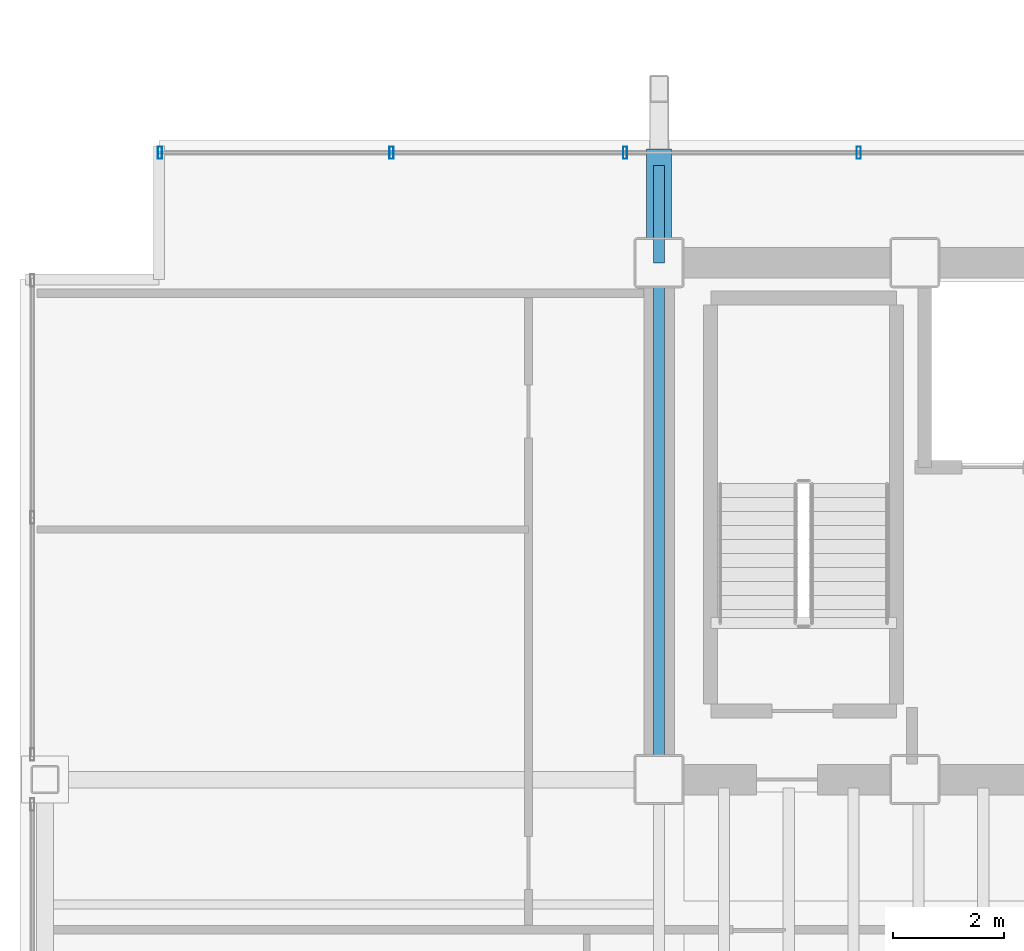
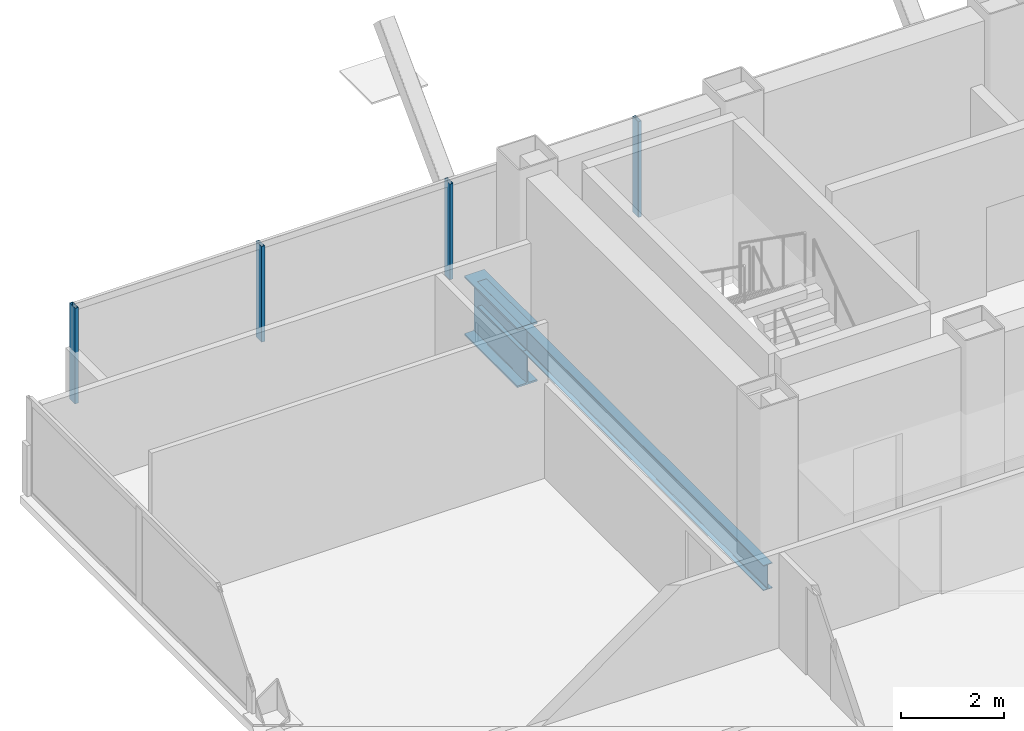
# One storey, part 9 of 22: 4 members, 3 beams, 1 element without a shape of its own.
"""IFC4 building model written with IfcOpenShell, lengths in metres."""

from ifc_helpers import new_model, si_unit, direction, frame, origin, origin_2d, place, context, subcontext, project, spatial, hollow_rectangle, i_section, extrude, material, material_profile, profile_set, type_object, element, aggregate, save


model = new_model("IFC4")

# Units and contexts
model_context = context("Model", 3, precision=1e-05, world=origin(), true_north=direction((0.0, 1.0)))
body_context = subcontext(model_context, "Body", "Model", "MODEL_VIEW")
ifc_project = project(units=[si_unit("LENGTHUNIT", "METRE"), si_unit("AREAUNIT", "SQUARE_METRE"), si_unit("VOLUMEUNIT", "CUBIC_METRE"), si_unit("PLANEANGLEUNIT", "RADIAN"), si_unit("MASSUNIT", "GRAM", prefix="KILO")], contexts=[model_context])

# Site, building, storey
site_placement = place(None, origin())
site = spatial("IfcSite", under=ifc_project, at=site_placement, CompositionType="ELEMENT")
building_placement = place(site_placement, origin())
building = spatial("IfcBuilding", under=site, at=building_placement, Name="Noeulbin Bourse Tower", CompositionType="ELEMENT")
storey_placement = place(building_placement, frame((0.0, 0.0, 138.300048828125)))
storey = spatial("IfcBuildingStorey", under=building, at=storey_placement, Name="L34", CompositionType="ELEMENT", Elevation=138.300048828125)

# Beams
ifc_material_1 = material(Name="Steel S355", Category="steel")
ifc_material_profile_1 = material_profile(ifc_material_1, i_section(OverallWidth=0.199951171875, OverallDepth=0.60009765625, WebThickness=0.010986328125, FlangeThickness=0.01708984375, FilletRadius=0.02197265625, at=origin_2d()), Name="H-600x200x11x17", Category="LoadBearing")
ifc_profile_set_1 = profile_set([ifc_material_profile_1], Name="Steel S355")
beam_type_1 = type_object("IfcBeamType", Name="BM-GRD-600", PredefinedType="USERDEFINED", material=ifc_profile_set_1)
beam_1_placement = place(storey_placement, frame((13.5, 29.0, -0.47998046875), z_axis=(0.0, 1.0, 0.0), x_axis=(-1.0, 0.0, 0.0)))
element("IfcBeam", 1, at=beam_1_placement, inside=storey, type_object=beam_type_1, Name="Tower Primary Girder NS L34-1.3", ObjectType="GIRDER", PredefinedType="USERDEFINED", context=body_context, shape_type="SweptSolid", body=[
    extrude(i_section(OverallWidth=0.199951171875, OverallDepth=0.60009765625, WebThickness=0.010986328125, FlangeThickness=0.01708984375, FilletRadius=0.02197265625, at=origin_2d()), origin(), (0.0, 0.0, 1.0), 9.300048828125),
])
beam_2_placement = place(storey_placement, frame((13.5, 38.300048828125, -0.47998046875), z_axis=(0.0, 1.0, 0.0), x_axis=(-1.0, 0.0, 0.0)))
element("IfcBeam", 2, at=beam_2_placement, inside=storey, type_object=beam_type_1, Name="Tower Primary Girder NS L34-1.4", ObjectType="GIRDER", PredefinedType="USERDEFINED", context=body_context, shape_type="SweptSolid", body=[
    extrude(i_section(OverallWidth=0.199951171875, OverallDepth=0.60009765625, WebThickness=0.010986328125, FlangeThickness=0.01708984375, FilletRadius=0.02197265625, at=origin_2d()), origin(), (0.0, 0.0, 1.0), 1.75),
])
ifc_material_2 = material(Name="Steel S460", Category="steel")
ifc_material_profile_2 = material_profile(ifc_material_2, i_section(OverallWidth=0.449951171875, OverallDepth=1.39990234375, WebThickness=0.02392578125, FlangeThickness=0.0400390625, FilletRadius=0.02392578125, at=origin_2d()), Name="PG-1400x450x24x40", Category="LoadBearing")
ifc_profile_set_2 = profile_set([ifc_material_profile_2], Name="Steel S460")
beam_type_2 = type_object("IfcBeamType", Name="BM-TRF-1400", PredefinedType="USERDEFINED", material=ifc_profile_set_2)
beam_3_placement = place(storey_placement, frame((13.5, 38.300048828125, -0.880126953125), z_axis=(0.0, 1.0, 0.0), x_axis=(-1.0, 0.0, 0.0)))
element("IfcBeam", 3, at=beam_3_placement, inside=storey, type_object=beam_type_2, Name="Transfer Outrigger Corbel L34-02", ObjectType="GIRDER", PredefinedType="USERDEFINED", context=body_context, shape_type="SweptSolid", body=[
    extrude(i_section(OverallWidth=0.449951171875, OverallDepth=1.39990234375, WebThickness=0.02392578125, FlangeThickness=0.0400390625, FilletRadius=0.02392578125, at=origin_2d()), origin(), (0.0, 0.0, 1.0), 2.050048828125),
])

# Curtain wall, members
ifc_material_3 = material(Name="Dark Tinted Triple Glazing", Category="glass")
curtain_wall_type = type_object("IfcCurtainWallType", Name="CW-SYS-3", PredefinedType="NOTDEFINED", material=ifc_material_3)
curtain_wall_placement = place(storey_placement, origin())
curtain_wall = element("IfcCurtainWall", 4, at=curtain_wall_placement, inside=storey, type_object=curtain_wall_type, Name="Unitised Curtain Wall CW-L34-N", PredefinedType="NOTDEFINED")
ifc_material_4 = material(Name="Anodised Aluminium 6063-T6", Category="aluminium")
ifc_material_profile_3 = material_profile(ifc_material_4, hollow_rectangle(XDim=0.074951171875, YDim=0.219970703125, WallThickness=0.0048828125, InnerFilletRadius=0.00244140625, OuterFilletRadius=0.0048828125, at=origin_2d()), Name="ALU-MULL-75x220x5", Category="LoadBearing")
ifc_profile_set_3 = profile_set([ifc_material_profile_3], Name="Anodised Aluminium 6063-T6")
member_type = type_object("IfcMemberType", Name="CW-SYS-3-MUL", PredefinedType="MULLION", material=ifc_profile_set_3)
member_1_placement = place(storey_placement, frame((4.52001953125, 40.280029296875, -0.02001953125), z_axis=(0.0, 0.0, 1.0), x_axis=(1.0, 0.0, 0.0)))
member_1 = element("IfcMember", 5, at=member_1_placement, type_object=member_type, Name="Curtain Wall Mullion CW-L34-N-M00", PredefinedType="MULLION", context=body_context, shape_type="SweptSolid", body=[
    extrude(hollow_rectangle(XDim=0.074951171875, YDim=0.219970703125, WallThickness=0.0048828125, InnerFilletRadius=0.00244140625, OuterFilletRadius=0.0048828125, at=origin_2d()), origin(), (0.0, 0.0, 1.0), 2.260009765625),
])
member_2_placement = place(storey_placement, frame((8.68408203125, 40.280029296875, -0.02001953125), z_axis=(0.0, 0.0, 1.0), x_axis=(1.0, 0.0, 0.0)))
member_2 = element("IfcMember", 6, at=member_2_placement, type_object=member_type, Name="Curtain Wall Mullion CW-L34-N-M01", PredefinedType="MULLION", context=body_context, shape_type="SweptSolid", body=[
    extrude(hollow_rectangle(XDim=0.074951171875, YDim=0.219970703125, WallThickness=0.0048828125, InnerFilletRadius=0.00244140625, OuterFilletRadius=0.0048828125, at=origin_2d()), origin(), (0.0, 0.0, 1.0), 2.260009765625),
])
member_3_placement = place(storey_placement, frame((12.887939453125, 40.280029296875, -0.02001953125), z_axis=(0.0, 0.0, 1.0), x_axis=(1.0, 0.0, 0.0)))
member_3 = element("IfcMember", 7, at=member_3_placement, type_object=member_type, Name="Curtain Wall Mullion CW-L34-N-M02", PredefinedType="MULLION", context=body_context, shape_type="SweptSolid", body=[
    extrude(hollow_rectangle(XDim=0.074951171875, YDim=0.219970703125, WallThickness=0.0048828125, InnerFilletRadius=0.00244140625, OuterFilletRadius=0.0048828125, at=origin_2d()), origin(), (0.0, 0.0, 1.0), 2.260009765625),
])
member_4_placement = place(storey_placement, frame((17.092041015625, 40.280029296875, -0.02001953125), z_axis=(0.0, 0.0, 1.0), x_axis=(1.0, 0.0, 0.0)))
member_4 = element("IfcMember", 8, at=member_4_placement, type_object=member_type, Name="Curtain Wall Mullion CW-L34-N-M03", PredefinedType="MULLION", context=body_context, shape_type="SweptSolid", body=[
    extrude(hollow_rectangle(XDim=0.074951171875, YDim=0.219970703125, WallThickness=0.0048828125, InnerFilletRadius=0.00244140625, OuterFilletRadius=0.0048828125, at=origin_2d()), origin(), (0.0, 0.0, 1.0), 2.260009765625),
])
aggregate(curtain_wall, [member_1, member_2, member_3, member_4])

save(model, "model.ifc")
